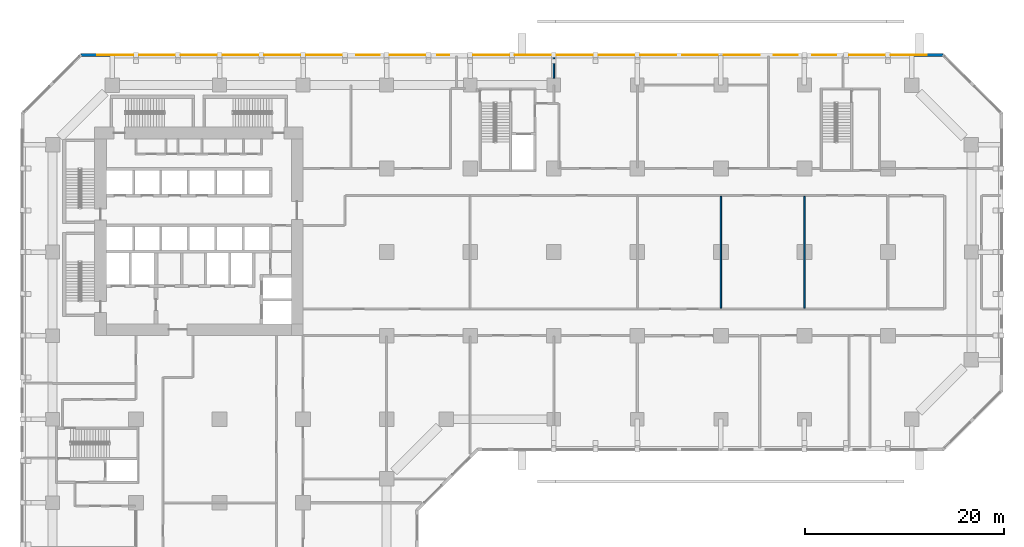
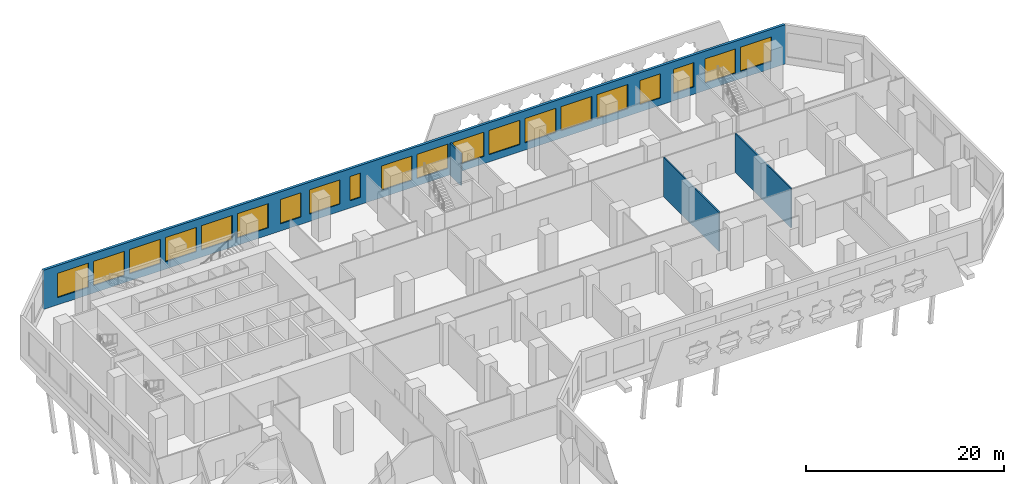
# One storey, part 11 of 21: 20 windows, 4 walls, 20 openings.
"""IFC4 building model written with IfcOpenShell, lengths in metres."""

from ifc_helpers import new_model, si_unit, direction, frame, frame_2d, origin, place, context, subcontext, project, spatial, rectangle, extrude, material, layer, layer_set, type_object, element, fill, save


model = new_model("IFC4")

# Units and contexts
model_context = context("Model", 3, precision=1e-05, world=origin(), true_north=direction((0.0, 1.0)))
body_context = subcontext(model_context, "Body", "Model", "MODEL_VIEW")
ifc_project = project(units=[si_unit("LENGTHUNIT", "METRE"), si_unit("AREAUNIT", "SQUARE_METRE"), si_unit("VOLUMEUNIT", "CUBIC_METRE"), si_unit("PLANEANGLEUNIT", "RADIAN"), si_unit("MASSUNIT", "GRAM", prefix="KILO")], contexts=[model_context])

# Site, building, storey
site_placement = place(None, origin())
site = spatial("IfcSite", under=ifc_project, at=site_placement, CompositionType="ELEMENT")
building_placement = place(site_placement, origin())
building = spatial("IfcBuilding", under=site, at=building_placement, Name="Kawkab Arch Medical Tower", CompositionType="ELEMENT")
storey_placement = place(building_placement, frame((0.0, 0.0, 23.800048828125)))
storey = spatial("IfcBuildingStorey", under=building, at=storey_placement, Name="L05", CompositionType="ELEMENT", Elevation=23.800048828125)

# Walls
ifc_material_1 = material(Name="Gypsum board partition on steel studs, mineral wool", Category="steel")
ifc_layer_1 = layer(ifc_material_1, 0.14990234375)
ifc_layer_set_1 = layer_set([ifc_layer_1], Name="Gypsum board partition on steel studs, mineral wool")
wall_type_1 = type_object("IfcWallType", Name="Partition 150", PredefinedType="PARTITIONING", material=ifc_layer_set_1)
wall_1_placement = place(storey_placement, frame((50.39990234375, 0.699951171875, 0.0), z_axis=(0.0, 0.0, 1.0), x_axis=(0.0, 1.0, 0.0)))
element("IfcWall", 1, at=wall_1_placement, inside=storey, type_object=wall_type_1, Name="Partition 150 w057", PredefinedType="PARTITIONING", context=body_context, shape_type="SweptSolid", body=[
    extrude(rectangle(XDim=2.179931640625, YDim=0.14990234375, at=frame_2d((1.08984375, 0.0))), origin(), (0.0, 0.0, 1.0), 3.949951171875),
])
for number, where, z_axis, x_axis, name in (
    (2, (67.199951171875, -22.425048828125, 0.0), (0.0, 0.0, 1.0), (0.0, 1.0, 0.0), "Partition 150 w061"),
    (3, (75.60009765625, -22.425048828125, 0.0), (0.0, 0.0, 1.0), (0.0, 1.0, 0.0), "Partition 150 w064"),
):
    element("IfcWall", number, at=place(storey_placement, frame(where, z_axis=z_axis, x_axis=x_axis)), inside=storey, type_object=wall_type_1, Name=name, PredefinedType="PARTITIONING", context=body_context, shape_type="SweptSolid", body=[
        extrude(rectangle(XDim=11.25, YDim=0.14990234375, at=frame_2d((5.625, 0.0))), origin(), (0.0, 0.0, 1.0), 4.849853515625),
    ])

# Wall, openings, windows
ifc_material_2 = material(Name="Bronze clad insulated wall panel")
ifc_layer_2 = layer(ifc_material_2, 0.300048828125)
ifc_layer_set_2 = layer_set([ifc_layer_2], Name="Bronze clad insulated wall panel")
wall_type_2 = type_object("IfcWallType", Name="Podium external wall 300", PredefinedType="SOLIDWALL", material=ifc_layer_set_2)
wall_2_placement = place(storey_placement, frame((89.537841796875, 3.050048828125, 0.0), z_axis=(0.0, 0.0, 1.0), x_axis=(-1.0, 0.0, 0.0)))
wall_2 = element("IfcWall", 4, at=wall_2_placement, inside=storey, type_object=wall_type_2, Name="Podium external wall L05 R12", PredefinedType="SOLIDWALL", context=body_context, shape_type="SweptSolid", body=[
    extrude(rectangle(XDim=86.67578125, YDim=0.300048828125, at=frame_2d((43.337890625, 0.0))), origin(), (0.0, 0.0, 1.0), 4.849853515625),
])
opening_1_placement = place(wall_2_placement, frame((1.637939453125, 0.0, 0.89990234375)))
opening_1 = element("IfcOpeningElement", 5, at=opening_1_placement, cuts=wall_2, Name="Opening PBW360-30-S9", PredefinedType="OPENING", context=body_context, shape_type="SweptSolid", body=[
    extrude(rectangle(XDim=3.60009765625, YDim=3.0, at=frame_2d((1.800048828125, 1.5))), frame((0.0, 0.159912109375, 0.0), z_axis=(0.0, -1.0, 0.0), x_axis=(1.0, 0.0, 0.0)), (0.0, 0.0, 1.0), 0.320068359375),
])
opening_2_placement = place(wall_2_placement, frame((5.837890625, 0.0, 0.89990234375)))
opening_2 = element("IfcOpeningElement", 6, at=opening_2_placement, cuts=wall_2, Name="Opening PBW360-30-S9", PredefinedType="OPENING", context=body_context, shape_type="SweptSolid", body=[
    extrude(rectangle(XDim=3.60009765625, YDim=3.0, at=frame_2d((1.800048828125, 1.5))), frame((0.0, 0.159912109375, 0.0), z_axis=(0.0, -1.0, 0.0), x_axis=(1.0, 0.0, 0.0)), (0.0, 0.0, 1.0), 0.320068359375),
])
opening_3_placement = place(wall_2_placement, frame((10.722900390625, 0.0, 0.89990234375)))
opening_3 = element("IfcOpeningElement", 7, at=opening_3_placement, cuts=wall_2, Name="Opening PBW240-30-S9", PredefinedType="OPENING", context=body_context, shape_type="SweptSolid", body=[
    extrude(rectangle(XDim=2.39990234375, YDim=3.0, at=frame_2d((1.199951171875, 1.5))), frame((0.0, 0.159912109375, 0.0), z_axis=(0.0, -1.0, 0.0), x_axis=(1.0, 0.0, 0.0)), (0.0, 0.0, 1.0), 0.320068359375),
])
opening_4_placement = place(wall_2_placement, frame((14.622802734375, 0.0, 0.89990234375)))
opening_4 = element("IfcOpeningElement", 8, at=opening_4_placement, cuts=wall_2, Name="Opening PBW240-30-S9", PredefinedType="OPENING", context=body_context, shape_type="SweptSolid", body=[
    extrude(rectangle(XDim=2.39990234375, YDim=3.0, at=frame_2d((1.199951171875, 1.5))), frame((0.0, 0.159912109375, 0.0), z_axis=(0.0, -1.0, 0.0), x_axis=(1.0, 0.0, 0.0)), (0.0, 0.0, 1.0), 0.320068359375),
])
opening_5_placement = place(wall_2_placement, frame((18.43798828125, 0.0, 0.89990234375)))
opening_5 = element("IfcOpeningElement", 9, at=opening_5_placement, cuts=wall_2, Name="Opening PBW360-30-S9", PredefinedType="OPENING", context=body_context, shape_type="SweptSolid", body=[
    extrude(rectangle(XDim=3.60009765625, YDim=3.0, at=frame_2d((1.800048828125, 1.5))), frame((0.0, 0.159912109375, 0.0), z_axis=(0.0, -1.0, 0.0), x_axis=(1.0, 0.0, 0.0)), (0.0, 0.0, 1.0), 0.320068359375),
])
opening_6_placement = place(wall_2_placement, frame((22.637939453125, 0.0, 0.89990234375)))
opening_6 = element("IfcOpeningElement", 10, at=opening_6_placement, cuts=wall_2, Name="Opening PBW360-30-S9", PredefinedType="OPENING", context=body_context, shape_type="SweptSolid", body=[
    extrude(rectangle(XDim=3.60009765625, YDim=3.0, at=frame_2d((1.800048828125, 1.5))), frame((0.0, 0.159912109375, 0.0), z_axis=(0.0, -1.0, 0.0), x_axis=(1.0, 0.0, 0.0)), (0.0, 0.0, 1.0), 0.320068359375),
])
opening_7_placement = place(wall_2_placement, frame((26.837890625, 0.0, 0.89990234375)))
opening_7 = element("IfcOpeningElement", 11, at=opening_7_placement, cuts=wall_2, Name="Opening PBW360-30-S9", PredefinedType="OPENING", context=body_context, shape_type="SweptSolid", body=[
    extrude(rectangle(XDim=3.60009765625, YDim=3.0, at=frame_2d((1.800048828125, 1.5))), frame((0.0, 0.159912109375, 0.0), z_axis=(0.0, -1.0, 0.0), x_axis=(1.0, 0.0, 0.0)), (0.0, 0.0, 1.0), 0.320068359375),
])
opening_8_placement = place(wall_2_placement, frame((31.037841796875, 0.0, 0.89990234375)))
opening_8 = element("IfcOpeningElement", 12, at=opening_8_placement, cuts=wall_2, Name="Opening PBW360-30-S9", PredefinedType="OPENING", context=body_context, shape_type="SweptSolid", body=[
    extrude(rectangle(XDim=3.60009765625, YDim=3.0, at=frame_2d((1.800048828125, 1.5))), frame((0.0, 0.159912109375, 0.0), z_axis=(0.0, -1.0, 0.0), x_axis=(1.0, 0.0, 0.0)), (0.0, 0.0, 1.0), 0.320068359375),
])
opening_9_placement = place(wall_2_placement, frame((35.23779296875, 0.0, 0.89990234375)))
opening_9 = element("IfcOpeningElement", 13, at=opening_9_placement, cuts=wall_2, Name="Opening PBW360-30-S9", PredefinedType="OPENING", context=body_context, shape_type="SweptSolid", body=[
    extrude(rectangle(XDim=3.60009765625, YDim=3.0, at=frame_2d((1.800048828125, 1.5))), frame((0.0, 0.159912109375, 0.0), z_axis=(0.0, -1.0, 0.0), x_axis=(1.0, 0.0, 0.0)), (0.0, 0.0, 1.0), 0.320068359375),
])
opening_10_placement = place(wall_2_placement, frame((39.43798828125, 0.0, 0.89990234375)))
opening_10 = element("IfcOpeningElement", 14, at=opening_10_placement, cuts=wall_2, Name="Opening PBW360-30-S9", PredefinedType="OPENING", context=body_context, shape_type="SweptSolid", body=[
    extrude(rectangle(XDim=3.60009765625, YDim=3.0, at=frame_2d((1.800048828125, 1.5))), frame((0.0, 0.159912109375, 0.0), z_axis=(0.0, -1.0, 0.0), x_axis=(1.0, 0.0, 0.0)), (0.0, 0.0, 1.0), 0.320068359375),
])
opening_11_placement = place(wall_2_placement, frame((43.637939453125, 0.0, 0.89990234375)))
opening_11 = element("IfcOpeningElement", 15, at=opening_11_placement, cuts=wall_2, Name="Opening PBW360-30-S9", PredefinedType="OPENING", context=body_context, shape_type="SweptSolid", body=[
    extrude(rectangle(XDim=3.60009765625, YDim=3.0, at=frame_2d((1.800048828125, 1.5))), frame((0.0, 0.159912109375, 0.0), z_axis=(0.0, -1.0, 0.0), x_axis=(1.0, 0.0, 0.0)), (0.0, 0.0, 1.0), 0.320068359375),
])
opening_12_placement = place(wall_2_placement, frame((49.6728515625, 0.0, 0.89990234375)))
opening_12 = element("IfcOpeningElement", 16, at=opening_12_placement, cuts=wall_2, Name="Opening PBW120-30-S9", PredefinedType="OPENING", context=body_context, shape_type="SweptSolid", body=[
    extrude(rectangle(XDim=1.199951171875, YDim=3.0, at=frame_2d((0.60009765625, 1.5))), frame((0.0, 0.159912109375, 0.0), z_axis=(0.0, -1.0, 0.0), x_axis=(1.0, 0.0, 0.0)), (0.0, 0.0, 1.0), 0.320068359375),
])
opening_13_placement = place(wall_2_placement, frame((52.037841796875, 0.0, 0.89990234375)))
opening_13 = element("IfcOpeningElement", 17, at=opening_13_placement, cuts=wall_2, Name="Opening PBW360-30-S9", PredefinedType="OPENING", context=body_context, shape_type="SweptSolid", body=[
    extrude(rectangle(XDim=3.60009765625, YDim=3.0, at=frame_2d((1.800048828125, 1.5))), frame((0.0, 0.159912109375, 0.0), z_axis=(0.0, -1.0, 0.0), x_axis=(1.0, 0.0, 0.0)), (0.0, 0.0, 1.0), 0.320068359375),
])
opening_14_placement = place(wall_2_placement, frame((56.622802734375, 0.0, 0.89990234375)))
opening_14 = element("IfcOpeningElement", 18, at=opening_14_placement, cuts=wall_2, Name="Opening PBW240-30-S9", PredefinedType="OPENING", context=body_context, shape_type="SweptSolid", body=[
    extrude(rectangle(XDim=2.39990234375, YDim=3.0, at=frame_2d((1.199951171875, 1.5))), frame((0.0, 0.159912109375, 0.0), z_axis=(0.0, -1.0, 0.0), x_axis=(1.0, 0.0, 0.0)), (0.0, 0.0, 1.0), 0.320068359375),
])
opening_15_placement = place(wall_2_placement, frame((60.43798828125, 0.0, 0.89990234375)))
opening_15 = element("IfcOpeningElement", 19, at=opening_15_placement, cuts=wall_2, Name="Opening PBW360-30-S9", PredefinedType="OPENING", context=body_context, shape_type="SweptSolid", body=[
    extrude(rectangle(XDim=3.60009765625, YDim=3.0, at=frame_2d((1.800048828125, 1.5))), frame((0.0, 0.159912109375, 0.0), z_axis=(0.0, -1.0, 0.0), x_axis=(1.0, 0.0, 0.0)), (0.0, 0.0, 1.0), 0.320068359375),
])
opening_16_placement = place(wall_2_placement, frame((64.637939453125, 0.0, 0.89990234375)))
opening_16 = element("IfcOpeningElement", 20, at=opening_16_placement, cuts=wall_2, Name="Opening PBW360-30-S9", PredefinedType="OPENING", context=body_context, shape_type="SweptSolid", body=[
    extrude(rectangle(XDim=3.60009765625, YDim=3.0, at=frame_2d((1.800048828125, 1.5))), frame((0.0, 0.159912109375, 0.0), z_axis=(0.0, -1.0, 0.0), x_axis=(1.0, 0.0, 0.0)), (0.0, 0.0, 1.0), 0.320068359375),
])
opening_17_placement = place(wall_2_placement, frame((68.837890625, 0.0, 0.89990234375)))
opening_17 = element("IfcOpeningElement", 21, at=opening_17_placement, cuts=wall_2, Name="Opening PBW360-30-S9", PredefinedType="OPENING", context=body_context, shape_type="SweptSolid", body=[
    extrude(rectangle(XDim=3.60009765625, YDim=3.0, at=frame_2d((1.800048828125, 1.5))), frame((0.0, 0.159912109375, 0.0), z_axis=(0.0, -1.0, 0.0), x_axis=(1.0, 0.0, 0.0)), (0.0, 0.0, 1.0), 0.320068359375),
])
opening_18_placement = place(wall_2_placement, frame((73.037841796875, 0.0, 0.89990234375)))
opening_18 = element("IfcOpeningElement", 22, at=opening_18_placement, cuts=wall_2, Name="Opening PBW360-30-S9", PredefinedType="OPENING", context=body_context, shape_type="SweptSolid", body=[
    extrude(rectangle(XDim=3.60009765625, YDim=3.0, at=frame_2d((1.800048828125, 1.5))), frame((0.0, 0.159912109375, 0.0), z_axis=(0.0, -1.0, 0.0), x_axis=(1.0, 0.0, 0.0)), (0.0, 0.0, 1.0), 0.320068359375),
])
opening_19_placement = place(wall_2_placement, frame((77.23779296875, 0.0, 0.89990234375)))
opening_19 = element("IfcOpeningElement", 23, at=opening_19_placement, cuts=wall_2, Name="Opening PBW360-30-S9", PredefinedType="OPENING", context=body_context, shape_type="SweptSolid", body=[
    extrude(rectangle(XDim=3.60009765625, YDim=3.0, at=frame_2d((1.800048828125, 1.5))), frame((0.0, 0.159912109375, 0.0), z_axis=(0.0, -1.0, 0.0), x_axis=(1.0, 0.0, 0.0)), (0.0, 0.0, 1.0), 0.320068359375),
])
opening_20_placement = place(wall_2_placement, frame((81.43798828125, 0.0, 0.89990234375)))
opening_20 = element("IfcOpeningElement", 24, at=opening_20_placement, cuts=wall_2, Name="Opening PBW360-30-S9", PredefinedType="OPENING", context=body_context, shape_type="SweptSolid", body=[
    extrude(rectangle(XDim=3.60009765625, YDim=3.0, at=frame_2d((1.800048828125, 1.5))), frame((0.0, 0.159912109375, 0.0), z_axis=(0.0, -1.0, 0.0), x_axis=(1.0, 0.0, 0.0)), (0.0, 0.0, 1.0), 0.320068359375),
])
ifc_material_3 = material(Name="Bronze anodised aluminium louvred window", Category="aluminium")
window_type_1 = type_object("IfcWindowType", Name="Podium band window 1200 x 3000 sill 900", PartitioningType="DOUBLE_PANEL_VERTICAL", PredefinedType="WINDOW", material=ifc_material_3)
window_1_placement = place(opening_12_placement, origin())
window_1 = element("IfcWindow", 25, at=window_1_placement, inside=storey, type_object=window_type_1, Name="Band window L05 R12.12", OverallHeight=3.0, OverallWidth=1.199951171875, PartitioningType="SINGLE_PANEL", PredefinedType="WINDOW", context=body_context, shape_type="SweptSolid", body=[
    extrude(rectangle(XDim=1.199951171875, YDim=3.0, at=frame_2d((0.60009765625, 1.5))), frame((0.0, 0.030029296875, 0.0), z_axis=(0.0, -1.0, 0.0), x_axis=(1.0, 0.0, 0.0)), (0.0, 0.0, 1.0), 0.06005859375),
])
fill(opening_12, window_1)
ifc_material_4 = material(Name="Bronze anodised aluminium louvred window", Category="aluminium")
window_type_2 = type_object("IfcWindowType", Name="Podium band window 2400 x 3000 sill 900", PartitioningType="DOUBLE_PANEL_VERTICAL", PredefinedType="WINDOW", material=ifc_material_4)
window_2_placement = place(opening_3_placement, origin())
window_2 = element("IfcWindow", 26, at=window_2_placement, inside=storey, type_object=window_type_2, Name="Band window L05 R12.3", OverallHeight=3.0, OverallWidth=2.39990234375, PartitioningType="SINGLE_PANEL", PredefinedType="WINDOW", context=body_context, shape_type="SweptSolid", body=[
    extrude(rectangle(XDim=2.39990234375, YDim=3.0, at=frame_2d((1.199951171875, 1.5))), frame((0.0, 0.030029296875, 0.0), z_axis=(0.0, -1.0, 0.0), x_axis=(1.0, 0.0, 0.0)), (0.0, 0.0, 1.0), 0.06005859375),
])
fill(opening_3, window_2)
window_3_placement = place(opening_4_placement, origin())
window_3 = element("IfcWindow", 27, at=window_3_placement, inside=storey, type_object=window_type_2, Name="Band window L05 R12.4", OverallHeight=3.0, OverallWidth=2.39990234375, PartitioningType="SINGLE_PANEL", PredefinedType="WINDOW", context=body_context, shape_type="SweptSolid", body=[
    extrude(rectangle(XDim=2.39990234375, YDim=3.0, at=frame_2d((1.199951171875, 1.5))), frame((0.0, 0.030029296875, 0.0), z_axis=(0.0, -1.0, 0.0), x_axis=(1.0, 0.0, 0.0)), (0.0, 0.0, 1.0), 0.06005859375),
])
fill(opening_4, window_3)
window_4_placement = place(opening_14_placement, origin())
window_4 = element("IfcWindow", 28, at=window_4_placement, inside=storey, type_object=window_type_2, Name="Band window L05 R12.14", OverallHeight=3.0, OverallWidth=2.39990234375, PartitioningType="SINGLE_PANEL", PredefinedType="WINDOW", context=body_context, shape_type="SweptSolid", body=[
    extrude(rectangle(XDim=2.39990234375, YDim=3.0, at=frame_2d((1.199951171875, 1.5))), frame((0.0, 0.030029296875, 0.0), z_axis=(0.0, -1.0, 0.0), x_axis=(1.0, 0.0, 0.0)), (0.0, 0.0, 1.0), 0.06005859375),
])
fill(opening_14, window_4)
ifc_material_5 = material(Name="Bronze anodised aluminium louvred window", Category="aluminium")
window_type_3 = type_object("IfcWindowType", Name="Podium band window 3600 x 3000 sill 900", PartitioningType="DOUBLE_PANEL_VERTICAL", PredefinedType="WINDOW", material=ifc_material_5)
window_5_placement = place(opening_1_placement, origin())
window_5 = element("IfcWindow", 29, at=window_5_placement, inside=storey, type_object=window_type_3, Name="Band window L05 R12.1", OverallHeight=3.0, OverallWidth=3.60009765625, PartitioningType="SINGLE_PANEL", PredefinedType="WINDOW", context=body_context, shape_type="SweptSolid", body=[
    extrude(rectangle(XDim=3.60009765625, YDim=3.0, at=frame_2d((1.800048828125, 1.5))), frame((0.0, 0.030029296875, 0.0), z_axis=(0.0, -1.0, 0.0), x_axis=(1.0, 0.0, 0.0)), (0.0, 0.0, 1.0), 0.06005859375),
])
fill(opening_1, window_5)
window_6_placement = place(opening_2_placement, origin())
window_6 = element("IfcWindow", 30, at=window_6_placement, inside=storey, type_object=window_type_3, Name="Band window L05 R12.2", OverallHeight=3.0, OverallWidth=3.60009765625, PartitioningType="SINGLE_PANEL", PredefinedType="WINDOW", context=body_context, shape_type="SweptSolid", body=[
    extrude(rectangle(XDim=3.60009765625, YDim=3.0, at=frame_2d((1.800048828125, 1.5))), frame((0.0, 0.030029296875, 0.0), z_axis=(0.0, -1.0, 0.0), x_axis=(1.0, 0.0, 0.0)), (0.0, 0.0, 1.0), 0.06005859375),
])
fill(opening_2, window_6)
window_7_placement = place(opening_5_placement, origin())
window_7 = element("IfcWindow", 31, at=window_7_placement, inside=storey, type_object=window_type_3, Name="Band window L05 R12.5", OverallHeight=3.0, OverallWidth=3.60009765625, PartitioningType="SINGLE_PANEL", PredefinedType="WINDOW", context=body_context, shape_type="SweptSolid", body=[
    extrude(rectangle(XDim=3.60009765625, YDim=3.0, at=frame_2d((1.800048828125, 1.5))), frame((0.0, 0.030029296875, 0.0), z_axis=(0.0, -1.0, 0.0), x_axis=(1.0, 0.0, 0.0)), (0.0, 0.0, 1.0), 0.06005859375),
])
fill(opening_5, window_7)
window_8_placement = place(opening_6_placement, origin())
window_8 = element("IfcWindow", 32, at=window_8_placement, inside=storey, type_object=window_type_3, Name="Band window L05 R12.6", OverallHeight=3.0, OverallWidth=3.60009765625, PartitioningType="SINGLE_PANEL", PredefinedType="WINDOW", context=body_context, shape_type="SweptSolid", body=[
    extrude(rectangle(XDim=3.60009765625, YDim=3.0, at=frame_2d((1.800048828125, 1.5))), frame((0.0, 0.030029296875, 0.0), z_axis=(0.0, -1.0, 0.0), x_axis=(1.0, 0.0, 0.0)), (0.0, 0.0, 1.0), 0.06005859375),
])
fill(opening_6, window_8)
window_9_placement = place(opening_7_placement, origin())
window_9 = element("IfcWindow", 33, at=window_9_placement, inside=storey, type_object=window_type_3, Name="Band window L05 R12.7", OverallHeight=3.0, OverallWidth=3.60009765625, PartitioningType="SINGLE_PANEL", PredefinedType="WINDOW", context=body_context, shape_type="SweptSolid", body=[
    extrude(rectangle(XDim=3.60009765625, YDim=3.0, at=frame_2d((1.800048828125, 1.5))), frame((0.0, 0.030029296875, 0.0), z_axis=(0.0, -1.0, 0.0), x_axis=(1.0, 0.0, 0.0)), (0.0, 0.0, 1.0), 0.06005859375),
])
fill(opening_7, window_9)
window_10_placement = place(opening_8_placement, origin())
window_10 = element("IfcWindow", 34, at=window_10_placement, inside=storey, type_object=window_type_3, Name="Band window L05 R12.8", OverallHeight=3.0, OverallWidth=3.60009765625, PartitioningType="SINGLE_PANEL", PredefinedType="WINDOW", context=body_context, shape_type="SweptSolid", body=[
    extrude(rectangle(XDim=3.60009765625, YDim=3.0, at=frame_2d((1.800048828125, 1.5))), frame((0.0, 0.030029296875, 0.0), z_axis=(0.0, -1.0, 0.0), x_axis=(1.0, 0.0, 0.0)), (0.0, 0.0, 1.0), 0.06005859375),
])
fill(opening_8, window_10)
window_11_placement = place(opening_9_placement, origin())
window_11 = element("IfcWindow", 35, at=window_11_placement, inside=storey, type_object=window_type_3, Name="Band window L05 R12.9", OverallHeight=3.0, OverallWidth=3.60009765625, PartitioningType="SINGLE_PANEL", PredefinedType="WINDOW", context=body_context, shape_type="SweptSolid", body=[
    extrude(rectangle(XDim=3.60009765625, YDim=3.0, at=frame_2d((1.800048828125, 1.5))), frame((0.0, 0.030029296875, 0.0), z_axis=(0.0, -1.0, 0.0), x_axis=(1.0, 0.0, 0.0)), (0.0, 0.0, 1.0), 0.06005859375),
])
fill(opening_9, window_11)
window_12_placement = place(opening_10_placement, origin())
window_12 = element("IfcWindow", 36, at=window_12_placement, inside=storey, type_object=window_type_3, Name="Band window L05 R12.10", OverallHeight=3.0, OverallWidth=3.60009765625, PartitioningType="SINGLE_PANEL", PredefinedType="WINDOW", context=body_context, shape_type="SweptSolid", body=[
    extrude(rectangle(XDim=3.60009765625, YDim=3.0, at=frame_2d((1.800048828125, 1.5))), frame((0.0, 0.030029296875, 0.0), z_axis=(0.0, -1.0, 0.0), x_axis=(1.0, 0.0, 0.0)), (0.0, 0.0, 1.0), 0.06005859375),
])
fill(opening_10, window_12)
window_13_placement = place(opening_11_placement, origin())
window_13 = element("IfcWindow", 37, at=window_13_placement, inside=storey, type_object=window_type_3, Name="Band window L05 R12.11", OverallHeight=3.0, OverallWidth=3.60009765625, PartitioningType="SINGLE_PANEL", PredefinedType="WINDOW", context=body_context, shape_type="SweptSolid", body=[
    extrude(rectangle(XDim=3.60009765625, YDim=3.0, at=frame_2d((1.800048828125, 1.5))), frame((0.0, 0.030029296875, 0.0), z_axis=(0.0, -1.0, 0.0), x_axis=(1.0, 0.0, 0.0)), (0.0, 0.0, 1.0), 0.06005859375),
])
fill(opening_11, window_13)
window_14_placement = place(opening_13_placement, origin())
window_14 = element("IfcWindow", 38, at=window_14_placement, inside=storey, type_object=window_type_3, Name="Band window L05 R12.13", OverallHeight=3.0, OverallWidth=3.60009765625, PartitioningType="SINGLE_PANEL", PredefinedType="WINDOW", context=body_context, shape_type="SweptSolid", body=[
    extrude(rectangle(XDim=3.60009765625, YDim=3.0, at=frame_2d((1.800048828125, 1.5))), frame((0.0, 0.030029296875, 0.0), z_axis=(0.0, -1.0, 0.0), x_axis=(1.0, 0.0, 0.0)), (0.0, 0.0, 1.0), 0.06005859375),
])
fill(opening_13, window_14)
window_15_placement = place(opening_15_placement, origin())
window_15 = element("IfcWindow", 39, at=window_15_placement, inside=storey, type_object=window_type_3, Name="Band window L05 R12.15", OverallHeight=3.0, OverallWidth=3.60009765625, PartitioningType="SINGLE_PANEL", PredefinedType="WINDOW", context=body_context, shape_type="SweptSolid", body=[
    extrude(rectangle(XDim=3.60009765625, YDim=3.0, at=frame_2d((1.800048828125, 1.5))), frame((0.0, 0.030029296875, 0.0), z_axis=(0.0, -1.0, 0.0), x_axis=(1.0, 0.0, 0.0)), (0.0, 0.0, 1.0), 0.06005859375),
])
fill(opening_15, window_15)
window_16_placement = place(opening_16_placement, origin())
window_16 = element("IfcWindow", 40, at=window_16_placement, inside=storey, type_object=window_type_3, Name="Band window L05 R12.16", OverallHeight=3.0, OverallWidth=3.60009765625, PartitioningType="SINGLE_PANEL", PredefinedType="WINDOW", context=body_context, shape_type="SweptSolid", body=[
    extrude(rectangle(XDim=3.60009765625, YDim=3.0, at=frame_2d((1.800048828125, 1.5))), frame((0.0, 0.030029296875, 0.0), z_axis=(0.0, -1.0, 0.0), x_axis=(1.0, 0.0, 0.0)), (0.0, 0.0, 1.0), 0.06005859375),
])
fill(opening_16, window_16)
window_17_placement = place(opening_17_placement, origin())
window_17 = element("IfcWindow", 41, at=window_17_placement, inside=storey, type_object=window_type_3, Name="Band window L05 R12.17", OverallHeight=3.0, OverallWidth=3.60009765625, PartitioningType="SINGLE_PANEL", PredefinedType="WINDOW", context=body_context, shape_type="SweptSolid", body=[
    extrude(rectangle(XDim=3.60009765625, YDim=3.0, at=frame_2d((1.800048828125, 1.5))), frame((0.0, 0.030029296875, 0.0), z_axis=(0.0, -1.0, 0.0), x_axis=(1.0, 0.0, 0.0)), (0.0, 0.0, 1.0), 0.06005859375),
])
fill(opening_17, window_17)
window_18_placement = place(opening_18_placement, origin())
window_18 = element("IfcWindow", 42, at=window_18_placement, inside=storey, type_object=window_type_3, Name="Band window L05 R12.18", OverallHeight=3.0, OverallWidth=3.60009765625, PartitioningType="SINGLE_PANEL", PredefinedType="WINDOW", context=body_context, shape_type="SweptSolid", body=[
    extrude(rectangle(XDim=3.60009765625, YDim=3.0, at=frame_2d((1.800048828125, 1.5))), frame((0.0, 0.030029296875, 0.0), z_axis=(0.0, -1.0, 0.0), x_axis=(1.0, 0.0, 0.0)), (0.0, 0.0, 1.0), 0.06005859375),
])
fill(opening_18, window_18)
window_19_placement = place(opening_19_placement, origin())
window_19 = element("IfcWindow", 43, at=window_19_placement, inside=storey, type_object=window_type_3, Name="Band window L05 R12.19", OverallHeight=3.0, OverallWidth=3.60009765625, PartitioningType="SINGLE_PANEL", PredefinedType="WINDOW", context=body_context, shape_type="SweptSolid", body=[
    extrude(rectangle(XDim=3.60009765625, YDim=3.0, at=frame_2d((1.800048828125, 1.5))), frame((0.0, 0.030029296875, 0.0), z_axis=(0.0, -1.0, 0.0), x_axis=(1.0, 0.0, 0.0)), (0.0, 0.0, 1.0), 0.06005859375),
])
fill(opening_19, window_19)
window_20_placement = place(opening_20_placement, origin())
window_20 = element("IfcWindow", 44, at=window_20_placement, inside=storey, type_object=window_type_3, Name="Band window L05 R12.20", OverallHeight=3.0, OverallWidth=3.60009765625, PartitioningType="SINGLE_PANEL", PredefinedType="WINDOW", context=body_context, shape_type="SweptSolid", body=[
    extrude(rectangle(XDim=3.60009765625, YDim=3.0, at=frame_2d((1.800048828125, 1.5))), frame((0.0, 0.030029296875, 0.0), z_axis=(0.0, -1.0, 0.0), x_axis=(1.0, 0.0, 0.0)), (0.0, 0.0, 1.0), 0.06005859375),
])
fill(opening_20, window_20)

save(model, "model.ifc")
